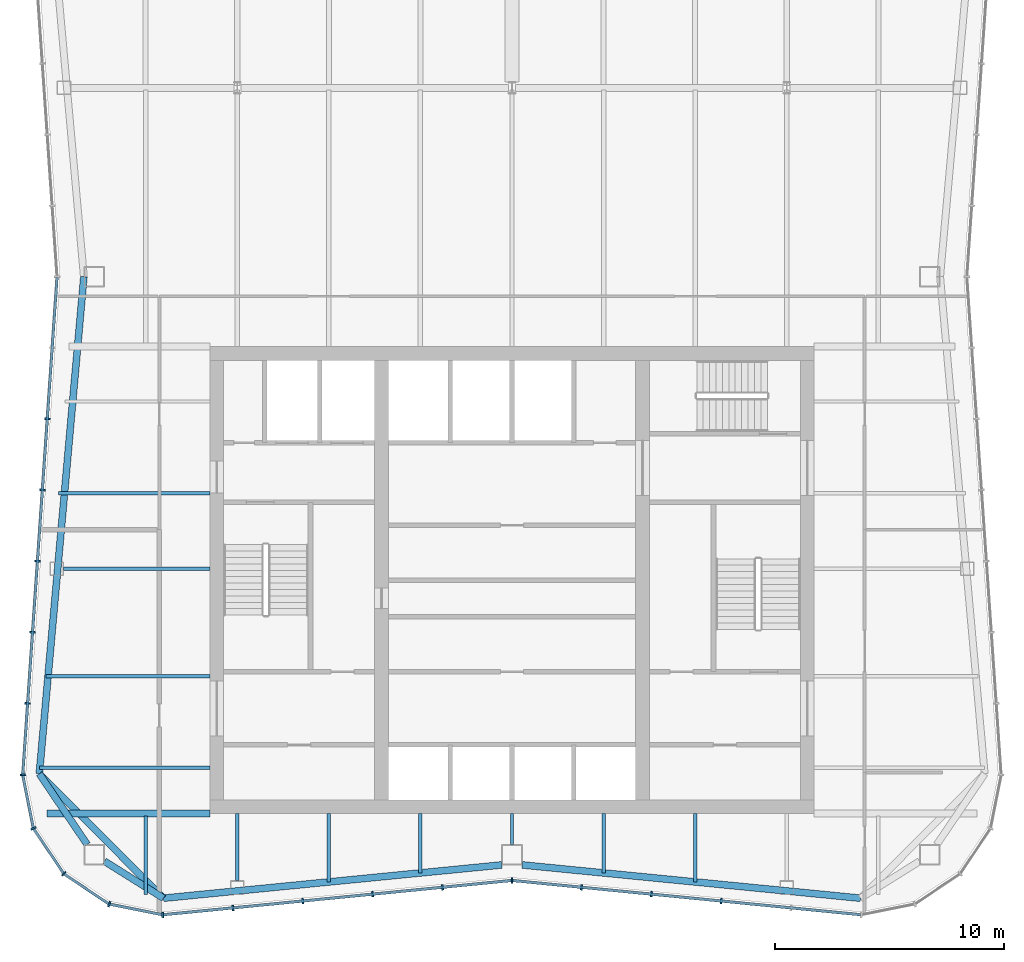
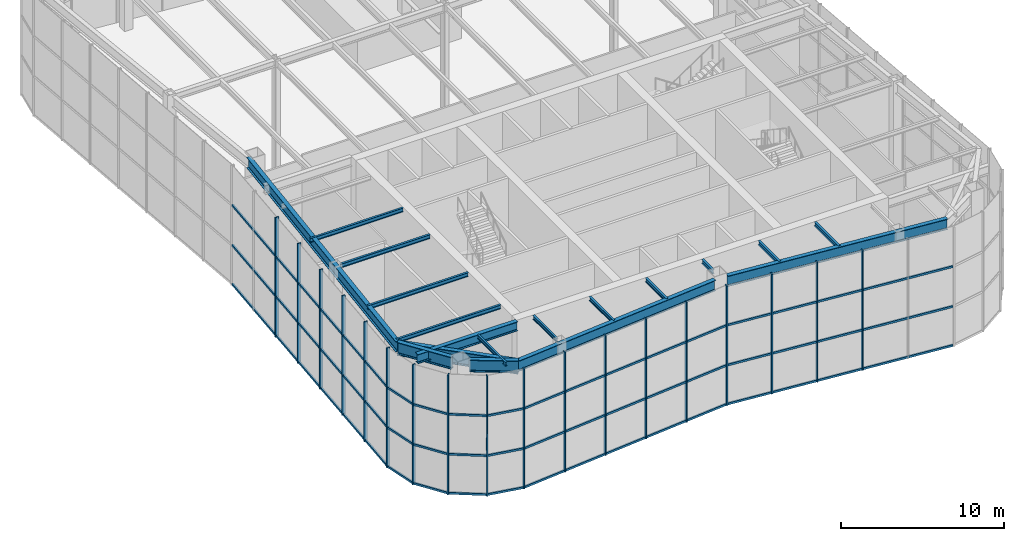
# One storey, part 3 of 16: 39 members, 18 beams, 3 elements without a shape of their own.
"""IFC4 building model written with IfcOpenShell, lengths in metres."""

from ifc_helpers import new_model, si_unit, direction, frame, origin, origin_2d, place, context, subcontext, project, spatial, rectangle, i_section, extrude, material, material_profile, profile_set, type_object, element, aggregate, save


model = new_model("IFC4")

# Units and contexts
model_context = context("Model", 3, precision=1e-05, world=origin(), true_north=direction((0.0, 1.0)))
body_context = subcontext(model_context, "Body", "Model", "MODEL_VIEW")
ifc_project = project(units=[si_unit("LENGTHUNIT", "METRE"), si_unit("AREAUNIT", "SQUARE_METRE"), si_unit("VOLUMEUNIT", "CUBIC_METRE"), si_unit("PLANEANGLEUNIT", "RADIAN"), si_unit("MASSUNIT", "GRAM", prefix="KILO")], contexts=[model_context])

# Site, building, storey
site_placement = place(None, origin())
site = spatial("IfcSite", under=ifc_project, at=site_placement, CompositionType="ELEMENT")
building_placement = place(site_placement, origin())
building = spatial("IfcBuilding", under=site, at=building_placement, Name="Verdant Reach Tower", CompositionType="ELEMENT")
storey_placement = place(building_placement, frame((0.0, 0.0, 340.5)))
storey = spatial("IfcBuildingStorey", under=building, at=storey_placement, Name="L78 Damper", CompositionType="ELEMENT", Elevation=340.5)

# Curtain wall, members
ifc_material_1 = material(Name="Anodised aluminium", Category="aluminium")
curtain_wall_type = type_object("IfcCurtainWallType", Name="EN-CW SYSTEM CROWN DAMPER", PredefinedType="NOTDEFINED", material=ifc_material_1)
curtain_wall_1_placement = place(storey_placement, origin())
curtain_wall_1 = element("IfcCurtainWall", 1, at=curtain_wall_1_placement, inside=storey, type_object=curtain_wall_type, Name="Curtain wall west, L78", PredefinedType="NOTDEFINED")
ifc_material_profile_1 = material_profile(ifc_material_1, rectangle(XDim=0.238037109375, YDim=0.080078125, at=origin_2d()), Name="Mullion 80x240")
ifc_profile_set_1 = profile_set([ifc_material_profile_1], Name="Anodised aluminium")
member_type_1 = type_object("IfcMemberType", Name="EN-MULLION PLANT", PredefinedType="MULLION", material=ifc_profile_set_1)
member_1_placement = place(storey_placement, frame((-20.29736328125, 35.0439453125, -0.35009765625), z_axis=(0.0, 0.0, 1.0), x_axis=(-0.997630328423, 0.068802091615, 0.0)))
member_1 = element("IfcMember", 2, at=member_1_placement, type_object=member_type_1, Name="Mullion west face part 2 3, L78", PredefinedType="MULLION", context=body_context, shape_type="SweptSolid", body=[
    extrude(rectangle(XDim=0.238037109375, YDim=0.080078125, at=origin_2d()), origin(), (0.0, 0.0, 1.0), 9.0),
])
member_2_placement = place(storey_placement, frame((-20.511474609375, 31.936767578125, -0.35009765625), z_axis=(0.0, 0.0, 1.0), x_axis=(-0.997630328423, 0.068802091615, 0.0)))
member_2 = element("IfcMember", 3, at=member_2_placement, type_object=member_type_1, Name="Mullion west face part 2 4, L78", PredefinedType="MULLION", context=body_context, shape_type="SweptSolid", body=[
    extrude(rectangle(XDim=0.238037109375, YDim=0.080078125, at=origin_2d()), origin(), (0.0, 0.0, 1.0), 9.0),
])
member_3_placement = place(storey_placement, frame((-20.725830078125, 28.82958984375, -0.35009765625), z_axis=(0.0, 0.0, 1.0), x_axis=(-0.997630328423, 0.068802091615, 0.0)))
member_3 = element("IfcMember", 4, at=member_3_placement, type_object=member_type_1, Name="Mullion west face part 2 5, L78", PredefinedType="MULLION", context=body_context, shape_type="SweptSolid", body=[
    extrude(rectangle(XDim=0.238037109375, YDim=0.080078125, at=origin_2d()), origin(), (0.0, 0.0, 1.0), 9.0),
])
member_4_placement = place(storey_placement, frame((-20.940185546875, 25.722412109375, -0.35009765625), z_axis=(0.0, 0.0, 1.0), x_axis=(-0.997630328423, 0.068802091615, 0.0)))
member_4 = element("IfcMember", 5, at=member_4_placement, type_object=member_type_1, Name="Mullion west face part 2 6, L78", PredefinedType="MULLION", context=body_context, shape_type="SweptSolid", body=[
    extrude(rectangle(XDim=0.238037109375, YDim=0.080078125, at=origin_2d()), origin(), (0.0, 0.0, 1.0), 9.0),
])
member_5_placement = place(storey_placement, frame((-21.154541015625, 22.615234375, -0.35009765625), z_axis=(0.0, 0.0, 1.0), x_axis=(-0.997630328423, 0.068802091615, 0.0)))
member_5 = element("IfcMember", 6, at=member_5_placement, type_object=member_type_1, Name="Mullion west face part 2 7, L78", PredefinedType="MULLION", context=body_context, shape_type="SweptSolid", body=[
    extrude(rectangle(XDim=0.238037109375, YDim=0.080078125, at=origin_2d()), origin(), (0.0, 0.0, 1.0), 9.0),
])

curtain_wall_2_placement = place(storey_placement, origin())
curtain_wall_2 = element("IfcCurtainWall", 7, at=curtain_wall_2_placement, inside=storey, type_object=curtain_wall_type, Name="Curtain wall south-west corner, L78", PredefinedType="NOTDEFINED")
member_6_placement = place(storey_placement, frame((-21.36865234375, 19.492431640625, -0.35009765625), z_axis=(0.0, 0.0, 1.0), x_axis=(-0.997969180898, -0.063698618332, 0.0)))
member_6 = element("IfcMember", 8, at=member_6_placement, type_object=member_type_1, Name="Mullion south-west corner 1, L78", PredefinedType="MULLION", context=body_context, shape_type="SweptSolid", body=[
    extrude(rectangle(XDim=0.238037109375, YDim=0.080078125, at=origin_2d()), origin(), (0.0, 0.0, 1.0), 9.0),
])
member_7_placement = place(storey_placement, frame((-20.9033203125, 17.158447265625, -0.35009765625), z_axis=(0.0, 0.0, 1.0), x_axis=(-0.923875215753, -0.382693853776, 0.0)))
member_7 = element("IfcMember", 9, at=member_7_placement, type_object=member_type_1, Name="Mullion south-west corner 2, L78", PredefinedType="MULLION", context=body_context, shape_type="SweptSolid", body=[
    extrude(rectangle(XDim=0.238037109375, YDim=0.080078125, at=origin_2d()), origin(), (0.0, 0.0, 1.0), 9.0),
])
member_8_placement = place(storey_placement, frame((-19.57666015625, 15.17333984375, -0.35009765625), z_axis=(0.0, 0.0, 1.0), x_axis=(-0.707106781187, -0.707106781187, 0.0)))
member_8 = element("IfcMember", 10, at=member_8_placement, type_object=member_type_1, Name="Mullion south-west corner 3, L78", PredefinedType="MULLION", context=body_context, shape_type="SweptSolid", body=[
    extrude(rectangle(XDim=0.238037109375, YDim=0.080078125, at=origin_2d()), origin(), (0.0, 0.0, 1.0), 9.0),
])
member_9_placement = place(storey_placement, frame((-17.591552734375, 13.8466796875, -0.35009765625), z_axis=(0.0, 0.0, 1.0), x_axis=(-0.382693853776, -0.923875215753, 0.0)))
member_9 = element("IfcMember", 11, at=member_9_placement, type_object=member_type_1, Name="Mullion south-west corner 4, L78", PredefinedType="MULLION", context=body_context, shape_type="SweptSolid", body=[
    extrude(rectangle(XDim=0.238037109375, YDim=0.080078125, at=origin_2d()), origin(), (0.0, 0.0, 1.0), 9.0),
])

curtain_wall_3_placement = place(storey_placement, origin())
curtain_wall_3 = element("IfcCurtainWall", 12, at=curtain_wall_3_placement, inside=storey, type_object=curtain_wall_type, Name="Curtain wall south, L78", PredefinedType="NOTDEFINED")
member_10_placement = place(storey_placement, frame((-15.255859375, 13.381103515625, -0.35009765625), z_axis=(0.0, 0.0, 1.0), x_axis=(-0.049127596288, -0.998792510626, 0.0)))
member_10 = element("IfcMember", 13, at=member_10_placement, type_object=member_type_1, Name="Mullion south face part 1 1, L78", PredefinedType="MULLION", context=body_context, shape_type="SweptSolid", body=[
    extrude(rectangle(XDim=0.238037109375, YDim=0.080078125, at=origin_2d()), origin(), (0.0, 0.0, 1.0), 9.0),
])
member_11_placement = place(storey_placement, frame((-12.188232421875, 13.681640625, -0.35009765625), z_axis=(0.0, 0.0, 1.0), x_axis=(0.09788826992, -0.995197410875, 0.0)))
member_11 = element("IfcMember", 14, at=member_11_placement, type_object=member_type_1, Name="Mullion south face part 1 2, L78", PredefinedType="MULLION", context=body_context, shape_type="SweptSolid", body=[
    extrude(rectangle(XDim=0.238037109375, YDim=0.080078125, at=origin_2d()), origin(), (0.0, 0.0, 1.0), 9.0),
])
member_12_placement = place(storey_placement, frame((-9.138427734375, 13.981689453125, -0.35009765625), z_axis=(0.0, 0.0, 1.0), x_axis=(0.09788826992, -0.995197410875, 0.0)))
member_12 = element("IfcMember", 15, at=member_12_placement, type_object=member_type_1, Name="Mullion south face part 1 3, L78", PredefinedType="MULLION", context=body_context, shape_type="SweptSolid", body=[
    extrude(rectangle(XDim=0.238037109375, YDim=0.080078125, at=origin_2d()), origin(), (0.0, 0.0, 1.0), 9.0),
])
member_13_placement = place(storey_placement, frame((-6.08837890625, 14.281494140625, -0.35009765625), z_axis=(0.0, 0.0, 1.0), x_axis=(0.09788826992, -0.995197410875, 0.0)))
member_13 = element("IfcMember", 16, at=member_13_placement, type_object=member_type_1, Name="Mullion south face part 1 4, L78", PredefinedType="MULLION", context=body_context, shape_type="SweptSolid", body=[
    extrude(rectangle(XDim=0.238037109375, YDim=0.080078125, at=origin_2d()), origin(), (0.0, 0.0, 1.0), 9.0),
])
member_14_placement = place(storey_placement, frame((-3.038330078125, 14.58154296875, -0.35009765625), z_axis=(0.0, 0.0, 1.0), x_axis=(0.09788826992, -0.995197410875, 0.0)))
member_14 = element("IfcMember", 17, at=member_14_placement, type_object=member_type_1, Name="Mullion south face part 1 5, L78", PredefinedType="MULLION", context=body_context, shape_type="SweptSolid", body=[
    extrude(rectangle(XDim=0.238037109375, YDim=0.080078125, at=origin_2d()), origin(), (0.0, 0.0, 1.0), 9.0),
])
member_15_placement = place(storey_placement, frame((0.0, 14.881103515625, -0.35009765625), z_axis=(0.0, 0.0, 1.0), x_axis=(0.0, -1.0, 0.0)))
member_15 = element("IfcMember", 18, at=member_15_placement, type_object=member_type_1, Name="Mullion south face part 2 1, L78", PredefinedType="MULLION", context=body_context, shape_type="SweptSolid", body=[
    extrude(rectangle(XDim=0.238037109375, YDim=0.080078125, at=origin_2d()), origin(), (0.0, 0.0, 1.0), 9.0),
])
member_16_placement = place(storey_placement, frame((3.038330078125, 14.58154296875, -0.35009765625), z_axis=(0.0, 0.0, 1.0), x_axis=(-0.09788826992, -0.995197410875, 0.0)))
member_16 = element("IfcMember", 19, at=member_16_placement, type_object=member_type_1, Name="Mullion south face part 2 2, L78", PredefinedType="MULLION", context=body_context, shape_type="SweptSolid", body=[
    extrude(rectangle(XDim=0.238037109375, YDim=0.080078125, at=origin_2d()), origin(), (0.0, 0.0, 1.0), 9.0),
])
member_17_placement = place(storey_placement, frame((6.08837890625, 14.281494140625, -0.35009765625), z_axis=(0.0, 0.0, 1.0), x_axis=(-0.09788826992, -0.995197410875, 0.0)))
member_17 = element("IfcMember", 20, at=member_17_placement, type_object=member_type_1, Name="Mullion south face part 2 3, L78", PredefinedType="MULLION", context=body_context, shape_type="SweptSolid", body=[
    extrude(rectangle(XDim=0.238037109375, YDim=0.080078125, at=origin_2d()), origin(), (0.0, 0.0, 1.0), 9.0),
])
member_18_placement = place(storey_placement, frame((9.138427734375, 13.981689453125, -0.35009765625), z_axis=(0.0, 0.0, 1.0), x_axis=(-0.09788826992, -0.995197410875, 0.0)))
member_18 = element("IfcMember", 21, at=member_18_placement, type_object=member_type_1, Name="Mullion south face part 2 4, L78", PredefinedType="MULLION", context=body_context, shape_type="SweptSolid", body=[
    extrude(rectangle(XDim=0.238037109375, YDim=0.080078125, at=origin_2d()), origin(), (0.0, 0.0, 1.0), 9.0),
])

# Member
ifc_material_profile_2 = material_profile(ifc_material_1, rectangle(XDim=0.1201171875, YDim=0.14990234375, at=origin_2d()), Name="Transom 150x120")
ifc_profile_set_2 = profile_set([ifc_material_profile_2], Name="Anodised aluminium")
member_type_2 = type_object("IfcMemberType", Name="EN-TRANSOM PLANT", PredefinedType="USERDEFINED", material=ifc_profile_set_2)
member_19_placement = place(storey_placement, frame((-19.871826171875, 41.210205078125, -0.27490234375), z_axis=(-0.068761218296, -0.997633146431, 0.0), x_axis=(0.997633146431, -0.068761218296, 0.0)))
member_19 = element("IfcMember", 22, at=member_19_placement, type_object=member_type_2, Name="Transom west face part 2 1.1, L78", ObjectType="TRANSOM", PredefinedType="USERDEFINED", context=body_context, shape_type="SweptSolid", body=[
    extrude(rectangle(XDim=0.1201171875, YDim=0.14990234375, at=origin_2d()), origin(), (0.0, 0.0, 1.0), 21.7294921875),
])

member_20_placement = place(storey_placement, frame((-19.871826171875, 41.210205078125, 2.64990234375), z_axis=(-0.068761218296, -0.997633146431, 0.0), x_axis=(0.997633146431, -0.068761218296, 0.0)))
member_20 = element("IfcMember", 23, at=member_20_placement, type_object=member_type_2, Name="Transom west face part 2 1.2, L78", ObjectType="TRANSOM", PredefinedType="USERDEFINED", context=body_context, shape_type="SweptSolid", body=[
    extrude(rectangle(XDim=0.1201171875, YDim=0.14990234375, at=origin_2d()), origin(), (0.0, 0.0, 1.0), 21.7294921875),
])

member_21_placement = place(storey_placement, frame((-19.871826171875, 41.210205078125, 5.64990234375), z_axis=(-0.068761218296, -0.997633146431, 0.0), x_axis=(0.997633146431, -0.068761218296, 0.0)))
member_21 = element("IfcMember", 24, at=member_21_placement, type_object=member_type_2, Name="Transom west face part 2 1.3, L78", ObjectType="TRANSOM", PredefinedType="USERDEFINED", context=body_context, shape_type="SweptSolid", body=[
    extrude(rectangle(XDim=0.1201171875, YDim=0.14990234375, at=origin_2d()), origin(), (0.0, 0.0, 1.0), 21.7294921875),
])

aggregate(curtain_wall_1, [member_1, member_2, member_3, member_4, member_5, member_19, member_20, member_21])

member_22_placement = place(storey_placement, frame((-21.36083984375, 19.453125, -0.27490234375), z_axis=(0.195524121666, -0.980698892549, 0.0), x_axis=(0.980698892549, 0.195524121666, 0.0)))
member_22 = element("IfcMember", 25, at=member_22_placement, type_object=member_type_2, Name="Transom south-west corner 1.1, L78", ObjectType="TRANSOM", PredefinedType="USERDEFINED", context=body_context, shape_type="SweptSolid", body=[
    extrude(rectangle(XDim=0.1201171875, YDim=0.14990234375, at=origin_2d()), origin(), (0.0, 0.0, 1.0), 2.300048828125),
])

member_23_placement = place(storey_placement, frame((-20.881103515625, 17.125, -0.27490234375), z_axis=(0.5556764556, -0.831398626828, 0.0), x_axis=(0.831398626828, 0.5556764556, 0.0)))
member_23 = element("IfcMember", 26, at=member_23_placement, type_object=member_type_2, Name="Transom south-west corner 2.1, L78", ObjectType="TRANSOM", PredefinedType="USERDEFINED", context=body_context, shape_type="SweptSolid", body=[
    extrude(rectangle(XDim=0.1201171875, YDim=0.14990234375, at=origin_2d()), origin(), (0.0, 0.0, 1.0), 2.3076171875),
])

member_24_placement = place(storey_placement, frame((-19.54345703125, 15.151123046875, -0.27490234375), z_axis=(0.831398626828, -0.5556764556, 0.0), x_axis=(0.5556764556, 0.831398626828, 0.0)))
member_24 = element("IfcMember", 27, at=member_24_placement, type_object=member_type_2, Name="Transom south-west corner 3.1, L78", ObjectType="TRANSOM", PredefinedType="USERDEFINED", context=body_context, shape_type="SweptSolid", body=[
    extrude(rectangle(XDim=0.1201171875, YDim=0.14990234375, at=origin_2d()), origin(), (0.0, 0.0, 1.0), 2.3076171875),
])

member_25_placement = place(storey_placement, frame((-17.552490234375, 13.8388671875, -0.27490234375), z_axis=(0.980706937788, -0.195483764476, 0.0), x_axis=(0.195483764476, 0.980706937788, 0.0)))
member_25 = element("IfcMember", 28, at=member_25_placement, type_object=member_type_2, Name="Transom south-west corner 4.1, L78", ObjectType="TRANSOM", PredefinedType="USERDEFINED", context=body_context, shape_type="SweptSolid", body=[
    extrude(rectangle(XDim=0.1201171875, YDim=0.14990234375, at=origin_2d()), origin(), (0.0, 0.0, 1.0), 2.3017578125),
])

member_26_placement = place(storey_placement, frame((-21.36083984375, 19.453125, 2.64990234375), z_axis=(0.195524121666, -0.980698892549, 0.0), x_axis=(0.980698892549, 0.195524121666, 0.0)))
member_26 = element("IfcMember", 29, at=member_26_placement, type_object=member_type_2, Name="Transom south-west corner 1.2, L78", ObjectType="TRANSOM", PredefinedType="USERDEFINED", context=body_context, shape_type="SweptSolid", body=[
    extrude(rectangle(XDim=0.1201171875, YDim=0.14990234375, at=origin_2d()), origin(), (0.0, 0.0, 1.0), 2.300048828125),
])

member_27_placement = place(storey_placement, frame((-20.881103515625, 17.125, 2.64990234375), z_axis=(0.5556764556, -0.831398626828, 0.0), x_axis=(0.831398626828, 0.5556764556, 0.0)))
member_27 = element("IfcMember", 30, at=member_27_placement, type_object=member_type_2, Name="Transom south-west corner 2.2, L78", ObjectType="TRANSOM", PredefinedType="USERDEFINED", context=body_context, shape_type="SweptSolid", body=[
    extrude(rectangle(XDim=0.1201171875, YDim=0.14990234375, at=origin_2d()), origin(), (0.0, 0.0, 1.0), 2.3076171875),
])

member_28_placement = place(storey_placement, frame((-19.54345703125, 15.151123046875, 2.64990234375), z_axis=(0.831398626828, -0.5556764556, 0.0), x_axis=(0.5556764556, 0.831398626828, 0.0)))
member_28 = element("IfcMember", 31, at=member_28_placement, type_object=member_type_2, Name="Transom south-west corner 3.2, L78", ObjectType="TRANSOM", PredefinedType="USERDEFINED", context=body_context, shape_type="SweptSolid", body=[
    extrude(rectangle(XDim=0.1201171875, YDim=0.14990234375, at=origin_2d()), origin(), (0.0, 0.0, 1.0), 2.3076171875),
])

member_29_placement = place(storey_placement, frame((-17.552490234375, 13.8388671875, 2.64990234375), z_axis=(0.980706937788, -0.195483764476, 0.0), x_axis=(0.195483764476, 0.980706937788, 0.0)))
member_29 = element("IfcMember", 32, at=member_29_placement, type_object=member_type_2, Name="Transom south-west corner 4.2, L78", ObjectType="TRANSOM", PredefinedType="USERDEFINED", context=body_context, shape_type="SweptSolid", body=[
    extrude(rectangle(XDim=0.1201171875, YDim=0.14990234375, at=origin_2d()), origin(), (0.0, 0.0, 1.0), 2.3017578125),
])

member_30_placement = place(storey_placement, frame((-21.36083984375, 19.453125, 5.64990234375), z_axis=(0.195524121666, -0.980698892549, 0.0), x_axis=(0.980698892549, 0.195524121666, 0.0)))
member_30 = element("IfcMember", 33, at=member_30_placement, type_object=member_type_2, Name="Transom south-west corner 1.3, L78", ObjectType="TRANSOM", PredefinedType="USERDEFINED", context=body_context, shape_type="SweptSolid", body=[
    extrude(rectangle(XDim=0.1201171875, YDim=0.14990234375, at=origin_2d()), origin(), (0.0, 0.0, 1.0), 2.300048828125),
])

member_31_placement = place(storey_placement, frame((-20.881103515625, 17.125, 5.64990234375), z_axis=(0.5556764556, -0.831398626828, 0.0), x_axis=(0.831398626828, 0.5556764556, 0.0)))
member_31 = element("IfcMember", 34, at=member_31_placement, type_object=member_type_2, Name="Transom south-west corner 2.3, L78", ObjectType="TRANSOM", PredefinedType="USERDEFINED", context=body_context, shape_type="SweptSolid", body=[
    extrude(rectangle(XDim=0.1201171875, YDim=0.14990234375, at=origin_2d()), origin(), (0.0, 0.0, 1.0), 2.3076171875),
])

member_32_placement = place(storey_placement, frame((-19.54345703125, 15.151123046875, 5.64990234375), z_axis=(0.831398626828, -0.5556764556, 0.0), x_axis=(0.5556764556, 0.831398626828, 0.0)))
member_32 = element("IfcMember", 35, at=member_32_placement, type_object=member_type_2, Name="Transom south-west corner 3.3, L78", ObjectType="TRANSOM", PredefinedType="USERDEFINED", context=body_context, shape_type="SweptSolid", body=[
    extrude(rectangle(XDim=0.1201171875, YDim=0.14990234375, at=origin_2d()), origin(), (0.0, 0.0, 1.0), 2.3076171875),
])

member_33_placement = place(storey_placement, frame((-17.552490234375, 13.8388671875, 5.64990234375), z_axis=(0.980706937788, -0.195483764476, 0.0), x_axis=(0.195483764476, 0.980706937788, 0.0)))
member_33 = element("IfcMember", 36, at=member_33_placement, type_object=member_type_2, Name="Transom south-west corner 4.3, L78", ObjectType="TRANSOM", PredefinedType="USERDEFINED", context=body_context, shape_type="SweptSolid", body=[
    extrude(rectangle(XDim=0.1201171875, YDim=0.14990234375, at=origin_2d()), origin(), (0.0, 0.0, 1.0), 2.3017578125),
])

aggregate(curtain_wall_2, [member_6, member_7, member_8, member_9, member_22, member_23, member_24, member_25, member_26, member_27, member_28, member_29, member_30, member_31, member_32, member_33])

member_34_placement = place(storey_placement, frame((-15.216064453125, 13.385009765625, -0.27490234375), z_axis=(0.995200989722, 0.097851878144, 0.0), x_axis=(-0.097851878144, 0.995200989722, 0.0)))
member_34 = element("IfcMember", 37, at=member_34_placement, type_object=member_type_2, Name="Transom south face part 1 1.1, L78", ObjectType="TRANSOM", PredefinedType="USERDEFINED", context=body_context, shape_type="SweptSolid", body=[
    extrude(rectangle(XDim=0.1201171875, YDim=0.14990234375, at=origin_2d()), origin(), (0.0, 0.0, 1.0), 15.24951171875),
])

member_35_placement = place(storey_placement, frame((-15.216064453125, 13.385009765625, 2.64990234375), z_axis=(0.995200989722, 0.097851878144, 0.0), x_axis=(-0.097851878144, 0.995200989722, 0.0)))
member_35 = element("IfcMember", 38, at=member_35_placement, type_object=member_type_2, Name="Transom south face part 1 1.2, L78", ObjectType="TRANSOM", PredefinedType="USERDEFINED", context=body_context, shape_type="SweptSolid", body=[
    extrude(rectangle(XDim=0.1201171875, YDim=0.14990234375, at=origin_2d()), origin(), (0.0, 0.0, 1.0), 15.24951171875),
])

member_36_placement = place(storey_placement, frame((-15.216064453125, 13.385009765625, 5.64990234375), z_axis=(0.995200989722, 0.097851878144, 0.0), x_axis=(-0.097851878144, 0.995200989722, 0.0)))
member_36 = element("IfcMember", 39, at=member_36_placement, type_object=member_type_2, Name="Transom south face part 1 1.3, L78", ObjectType="TRANSOM", PredefinedType="USERDEFINED", context=body_context, shape_type="SweptSolid", body=[
    extrude(rectangle(XDim=0.1201171875, YDim=0.14990234375, at=origin_2d()), origin(), (0.0, 0.0, 1.0), 15.24951171875),
])

member_37_placement = place(storey_placement, frame((0.039794921875, 14.877197265625, -0.27490234375), z_axis=(0.995200989722, -0.097851878144, 0.0), x_axis=(0.097851878144, 0.995200989722, 0.0)))
member_37 = element("IfcMember", 40, at=member_37_placement, type_object=member_type_2, Name="Transom south face part 2 1.1, L78", ObjectType="TRANSOM", PredefinedType="USERDEFINED", context=body_context, shape_type="SweptSolid", body=[
    extrude(rectangle(XDim=0.1201171875, YDim=0.14990234375, at=origin_2d()), origin(), (0.0, 0.0, 1.0), 15.24951171875),
])

member_38_placement = place(storey_placement, frame((0.039794921875, 14.877197265625, 2.64990234375), z_axis=(0.995200989722, -0.097851878144, 0.0), x_axis=(0.097851878144, 0.995200989722, 0.0)))
member_38 = element("IfcMember", 41, at=member_38_placement, type_object=member_type_2, Name="Transom south face part 2 1.2, L78", ObjectType="TRANSOM", PredefinedType="USERDEFINED", context=body_context, shape_type="SweptSolid", body=[
    extrude(rectangle(XDim=0.1201171875, YDim=0.14990234375, at=origin_2d()), origin(), (0.0, 0.0, 1.0), 15.24951171875),
])

member_39_placement = place(storey_placement, frame((0.039794921875, 14.877197265625, 5.64990234375), z_axis=(0.995200989722, -0.097851878144, 0.0), x_axis=(0.097851878144, 0.995200989722, 0.0)))
member_39 = element("IfcMember", 42, at=member_39_placement, type_object=member_type_2, Name="Transom south face part 2 1.3, L78", ObjectType="TRANSOM", PredefinedType="USERDEFINED", context=body_context, shape_type="SweptSolid", body=[
    extrude(rectangle(XDim=0.1201171875, YDim=0.14990234375, at=origin_2d()), origin(), (0.0, 0.0, 1.0), 15.24951171875),
])

aggregate(curtain_wall_3, [member_10, member_11, member_12, member_13, member_14, member_34, member_35, member_36, member_15, member_16, member_17, member_18, member_37, member_38, member_39])

# Beams
ifc_material_2 = material(Name="Steel S355", Category="steel")
ifc_material_profile_3 = material_profile(ifc_material_2, i_section(OverallWidth=0.300048828125, OverallDepth=0.699951171875, WebThickness=0.01708984375, FlangeThickness=0.031982421875, FilletRadius=0.027099609375, at=origin_2d()), Name="HEB 700")
ifc_profile_set_3 = profile_set([ifc_material_profile_3], Name="Steel S355")
beam_type_1 = type_object("IfcBeamType", Name="ST-BEAM-HEB700", PredefinedType="BEAM", material=ifc_profile_set_3)
beam_1_placement = place(storey_placement, frame((-13.199951171875, 17.800048828125, 8.5), z_axis=(-1.0, 0.0, 0.0), x_axis=(0.0, -1.0, 0.0)))
element("IfcBeam", 43, at=beam_1_placement, inside=storey, type_object=beam_type_1, Name="Trimmer beam, L78 Damper", PredefinedType="BEAM", context=body_context, shape_type="SweptSolid", body=[
    extrude(i_section(OverallWidth=0.300048828125, OverallDepth=0.699951171875, WebThickness=0.01708984375, FlangeThickness=0.031982421875, FilletRadius=0.027099609375, at=origin_2d()), origin(), (0.0, 0.0, 1.0), 7.10009765625),
])
ifc_material_profile_4 = material_profile(ifc_material_2, i_section(OverallWidth=0.302001953125, OverallDepth=0.909912109375, WebThickness=0.02099609375, FlangeThickness=0.0400390625, FilletRadius=0.030029296875, at=origin_2d()), Name="HEM 900")
ifc_profile_set_4 = profile_set([ifc_material_profile_4], Name="Steel S355")
beam_type_2 = type_object("IfcBeamType", Name="ST-BEAM-HEM900", PredefinedType="BEAM", material=ifc_profile_set_4)
beam_2_placement = place(storey_placement, frame((-17.800048828125, 15.71875, 8.39501953125), z_axis=(0.847903624467, -0.530150397166, 0.0), x_axis=(0.530150397166, 0.847903624467, 0.0)))
element("IfcBeam", 44, at=beam_2_placement, inside=storey, type_object=beam_type_2, Name="Column stub beam, L78 Damper", PredefinedType="BEAM", context=body_context, shape_type="SweptSolid", body=[
    extrude(i_section(OverallWidth=0.302001953125, OverallDepth=0.909912109375, WebThickness=0.02099609375, FlangeThickness=0.0400390625, FilletRadius=0.030029296875, at=origin_2d()), origin(), (0.0, 0.0, 1.0), 3.042724609375),
])
beam_3_placement = place(storey_placement, frame((-18.5546875, 16.449951171875, 8.39501953125), z_axis=(-0.560667226688, 0.828041219335, 0.0), x_axis=(-0.828041219335, -0.560667226688, 0.0)))
element("IfcBeam", 45, at=beam_3_placement, inside=storey, type_object=beam_type_2, Name="Column stub beam, L78 Damper", PredefinedType="BEAM", context=body_context, shape_type="SweptSolid", body=[
    extrude(i_section(OverallWidth=0.302001953125, OverallDepth=0.909912109375, WebThickness=0.02099609375, FlangeThickness=0.0400390625, FilletRadius=0.030029296875, at=origin_2d()), origin(), (0.0, 0.0, 1.0), 3.72998046875),
])
ifc_material_profile_5 = material_profile(ifc_material_2, i_section(OverallWidth=0.14990234375, OverallDepth=0.300048828125, WebThickness=0.007080078125, FlangeThickness=0.0107421875, FilletRadius=0.014892578125, at=origin_2d()), Name="IPE 300")
ifc_profile_set_5 = profile_set([ifc_material_profile_5], Name="Steel S355")
beam_type_3 = type_object("IfcBeamType", Name="ST-JOIST-IPE300", PredefinedType="JOIST", material=ifc_profile_set_5)
beam_4_placement = place(storey_placement, frame((-16.0, 17.699951171875, 8.699951171875), z_axis=(0.0, -1.0, 0.0), x_axis=(1.0, 0.0, 0.0)))
element("IfcBeam", 46, at=beam_4_placement, inside=storey, type_object=beam_type_3, Name="Floor joist, L78 Damper", PredefinedType="JOIST", context=body_context, shape_type="SweptSolid", body=[
    extrude(i_section(OverallWidth=0.14990234375, OverallDepth=0.300048828125, WebThickness=0.007080078125, FlangeThickness=0.0107421875, FilletRadius=0.014892578125, at=origin_2d()), origin(), (0.0, 0.0, 1.0), 3.43896484375),
])
beam_5_placement = place(storey_placement, frame((-12.0, 17.800048828125, 8.699951171875), z_axis=(0.0, -1.0, 0.0), x_axis=(1.0, 0.0, 0.0)))
element("IfcBeam", 47, at=beam_5_placement, inside=storey, type_object=beam_type_3, Name="Floor joist, L78 Damper", PredefinedType="JOIST", context=body_context, shape_type="SweptSolid", body=[
    extrude(i_section(OverallWidth=0.14990234375, OverallDepth=0.300048828125, WebThickness=0.007080078125, FlangeThickness=0.0107421875, FilletRadius=0.014892578125, at=origin_2d()), origin(), (0.0, 0.0, 1.0), 2.930419921875),
])
beam_6_placement = place(storey_placement, frame((-8.0, 17.800048828125, 8.699951171875), z_axis=(0.0, -1.0, 0.0), x_axis=(1.0, 0.0, 0.0)))
element("IfcBeam", 48, at=beam_6_placement, inside=storey, type_object=beam_type_3, Name="Floor joist, L78 Damper", PredefinedType="JOIST", context=body_context, shape_type="SweptSolid", body=[
    extrude(i_section(OverallWidth=0.14990234375, OverallDepth=0.300048828125, WebThickness=0.007080078125, FlangeThickness=0.0107421875, FilletRadius=0.014892578125, at=origin_2d()), origin(), (0.0, 0.0, 1.0), 2.984130859375),
])
beam_7_placement = place(storey_placement, frame((-4.0, 17.800048828125, 8.699951171875), z_axis=(0.0, -1.0, 0.0), x_axis=(1.0, 0.0, 0.0)))
element("IfcBeam", 49, at=beam_7_placement, inside=storey, type_object=beam_type_3, Name="Floor joist, L78 Damper", PredefinedType="JOIST", context=body_context, shape_type="SweptSolid", body=[
    extrude(i_section(OverallWidth=0.14990234375, OverallDepth=0.300048828125, WebThickness=0.007080078125, FlangeThickness=0.0107421875, FilletRadius=0.014892578125, at=origin_2d()), origin(), (0.0, 0.0, 1.0), 2.590576171875),
])
beam_8_placement = place(storey_placement, frame((0.0, 17.800048828125, 8.699951171875), z_axis=(0.0, -1.0, 0.0), x_axis=(1.0, 0.0, 0.0)))
element("IfcBeam", 50, at=beam_8_placement, inside=storey, type_object=beam_type_3, Name="Floor joist, L78 Damper", PredefinedType="JOIST", context=body_context, shape_type="SweptSolid", body=[
    extrude(i_section(OverallWidth=0.14990234375, OverallDepth=0.300048828125, WebThickness=0.007080078125, FlangeThickness=0.0107421875, FilletRadius=0.014892578125, at=origin_2d()), origin(), (0.0, 0.0, 1.0), 1.35009765625),
])
beam_9_placement = place(storey_placement, frame((4.0, 17.800048828125, 8.699951171875), z_axis=(0.0, -1.0, 0.0), x_axis=(1.0, 0.0, 0.0)))
element("IfcBeam", 51, at=beam_9_placement, inside=storey, type_object=beam_type_3, Name="Floor joist, L78 Damper", PredefinedType="JOIST", context=body_context, shape_type="SweptSolid", body=[
    extrude(i_section(OverallWidth=0.14990234375, OverallDepth=0.300048828125, WebThickness=0.007080078125, FlangeThickness=0.0107421875, FilletRadius=0.014892578125, at=origin_2d()), origin(), (0.0, 0.0, 1.0), 2.590576171875),
])
beam_10_placement = place(storey_placement, frame((8.0, 17.800048828125, 8.699951171875), z_axis=(0.0, -1.0, 0.0), x_axis=(1.0, 0.0, 0.0)))
element("IfcBeam", 52, at=beam_10_placement, inside=storey, type_object=beam_type_3, Name="Floor joist, L78 Damper", PredefinedType="JOIST", context=body_context, shape_type="SweptSolid", body=[
    extrude(i_section(OverallWidth=0.14990234375, OverallDepth=0.300048828125, WebThickness=0.007080078125, FlangeThickness=0.0107421875, FilletRadius=0.014892578125, at=origin_2d()), origin(), (0.0, 0.0, 1.0), 2.984130859375),
])
beam_11_placement = place(storey_placement, frame((-13.199951171875, 19.800048828125, 8.699951171875), z_axis=(-1.0, 0.0, 0.0), x_axis=(0.0, -1.0, 0.0)))
element("IfcBeam", 53, at=beam_11_placement, inside=storey, type_object=beam_type_3, Name="Floor joist, L78 Damper", PredefinedType="JOIST", context=body_context, shape_type="SweptSolid", body=[
    extrude(i_section(OverallWidth=0.14990234375, OverallDepth=0.300048828125, WebThickness=0.007080078125, FlangeThickness=0.0107421875, FilletRadius=0.014892578125, at=origin_2d()), origin(), (0.0, 0.0, 1.0), 7.427978515625),
])
beam_12_placement = place(storey_placement, frame((-13.199951171875, 23.800048828125, 8.699951171875), z_axis=(-1.0, 0.0, 0.0), x_axis=(0.0, -1.0, 0.0)))
element("IfcBeam", 54, at=beam_12_placement, inside=storey, type_object=beam_type_3, Name="Floor joist, L78 Damper", PredefinedType="JOIST", context=body_context, shape_type="SweptSolid", body=[
    extrude(i_section(OverallWidth=0.14990234375, OverallDepth=0.300048828125, WebThickness=0.007080078125, FlangeThickness=0.0107421875, FilletRadius=0.014892578125, at=origin_2d()), origin(), (0.0, 0.0, 1.0), 7.152099609375),
])
beam_13_placement = place(storey_placement, frame((-13.199951171875, 28.5, 8.699951171875), z_axis=(-1.0, 0.0, 0.0), x_axis=(0.0, -1.0, 0.0)))
element("IfcBeam", 55, at=beam_13_placement, inside=storey, type_object=beam_type_3, Name="Floor joist, L78 Damper", PredefinedType="JOIST", context=body_context, shape_type="SweptSolid", body=[
    extrude(i_section(OverallWidth=0.14990234375, OverallDepth=0.300048828125, WebThickness=0.007080078125, FlangeThickness=0.0107421875, FilletRadius=0.014892578125, at=origin_2d()), origin(), (0.0, 0.0, 1.0), 6.37939453125),
])
beam_14_placement = place(storey_placement, frame((-13.199951171875, 31.800048828125, 8.699951171875), z_axis=(-1.0, 0.0, 0.0), x_axis=(0.0, -1.0, 0.0)))
element("IfcBeam", 56, at=beam_14_placement, inside=storey, type_object=beam_type_3, Name="Floor joist, L78 Damper", PredefinedType="JOIST", context=body_context, shape_type="SweptSolid", body=[
    extrude(i_section(OverallWidth=0.14990234375, OverallDepth=0.300048828125, WebThickness=0.007080078125, FlangeThickness=0.0107421875, FilletRadius=0.014892578125, at=origin_2d()), origin(), (0.0, 0.0, 1.0), 6.600341796875),
])
ifc_material_profile_6 = material_profile(ifc_material_2, i_section(OverallWidth=0.300048828125, OverallDepth=0.800048828125, WebThickness=0.017578125, FlangeThickness=0.032958984375, FilletRadius=0.030029296875, at=origin_2d()), Name="HEB 800")
ifc_profile_set_6 = profile_set([ifc_material_profile_6], Name="Steel S355")
beam_type_4 = type_object("IfcBeamType", Name="ST-SPANDREL-HEB800", PredefinedType="SPANDREL", material=ifc_profile_set_6)
for number, where, z_axis, x_axis, name in (
    (57, (15.22021484375, 14.105712890625, 8.449951171875), (-0.995196964263, 0.097892810366, 0.0), (-0.097892810366, -0.995196964263, 0.0), "Edge beam, L78 Damper"),
    (58, (-0.449951171875, 15.55859375, 8.449951171875), (-0.995196964263, -0.097892810366, 0.0), (0.097892810366, -0.995196964263, 0.0), "Edge beam, L78 Damper"),
):
    element("IfcBeam", number, at=place(storey_placement, frame(where, z_axis=z_axis, x_axis=x_axis)), inside=storey, type_object=beam_type_4, Name=name, PredefinedType="SPANDREL", context=body_context, shape_type="SweptSolid", body=[
        extrude(i_section(OverallWidth=0.300048828125, OverallDepth=0.800048828125, WebThickness=0.017578125, FlangeThickness=0.032958984375, FilletRadius=0.030029296875, at=origin_2d()), origin(), (0.0, 0.0, 1.0), 14.841552734375),
    ])
beam_15_placement = place(storey_placement, frame((-20.64599609375, 19.53857421875, 8.449951171875), z_axis=(0.089274399498, 0.996007069048, 0.0), x_axis=(-0.996007069048, 0.089274399498, 0.0)))
element("IfcBeam", 59, at=beam_15_placement, inside=storey, type_object=beam_type_4, Name="Edge beam, L78 Damper", PredefinedType="SPANDREL", context=body_context, shape_type="SweptSolid", body=[
    extrude(i_section(OverallWidth=0.300048828125, OverallDepth=0.800048828125, WebThickness=0.017578125, FlangeThickness=0.032958984375, FilletRadius=0.030029296875, at=origin_2d()), origin(), (0.0, 0.0, 1.0), 21.798583984375),
])
ifc_material_profile_7 = material_profile(ifc_material_2, i_section(OverallWidth=0.302001953125, OverallDepth=1.008056640625, WebThickness=0.02099609375, FlangeThickness=0.0400390625, FilletRadius=0.030029296875, at=origin_2d()), Name="HEM 1000")
ifc_profile_set_7 = profile_set([ifc_material_profile_7], Name="Steel S355")
beam_type_5 = type_object("IfcBeamType", Name="ST-SPANDREL-HEM1000", PredefinedType="SPANDREL", material=ifc_profile_set_7)
beam_16_placement = place(storey_placement, frame((-15.22021484375, 14.105712890625, 8.345947265625), z_axis=(-0.706645581521, 0.707567680237, 0.0), x_axis=(-0.707567680237, -0.706645581521, 0.0)))
element("IfcBeam", 60, at=beam_16_placement, inside=storey, type_object=beam_type_5, Name="Edge beam, L78 Damper", PredefinedType="SPANDREL", context=body_context, shape_type="SweptSolid", body=[
    extrude(i_section(OverallWidth=0.302001953125, OverallDepth=1.008056640625, WebThickness=0.02099609375, FlangeThickness=0.0400390625, FilletRadius=0.030029296875, at=origin_2d()), origin(), (0.0, 0.0, 1.0), 7.67822265625),
])

save(model, "model.ifc")
